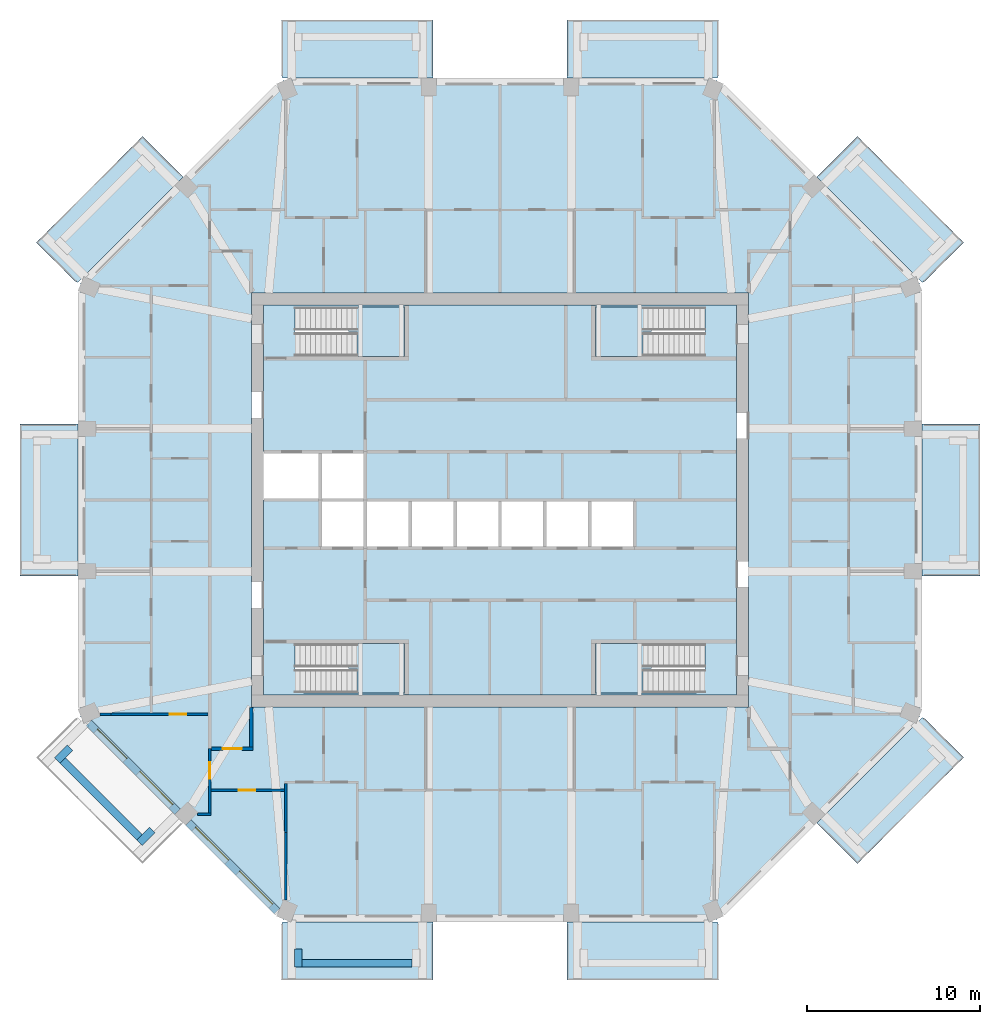
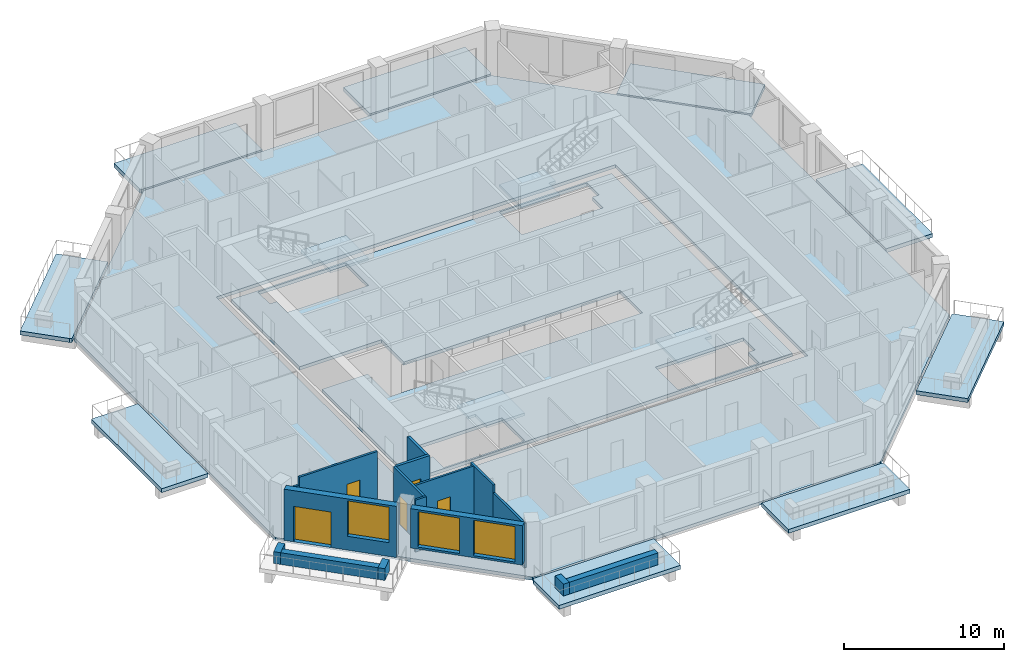
# One storey, part 2 of 12: 16 walls, 15 slabs, 5 doors, 3 windows, 8 openings, 4 elements without a shape of their own.
"""IFC4 building model written with IfcOpenShell, lengths in metres."""

from ifc_helpers import new_model, si_unit, direction, frame, frame_2d, origin, place, context, subcontext, project, spatial, polyline, rectangle, outline, extrude, material, layer, layer_set, type_object, element, fill, aggregate, save


model = new_model("IFC4")

# Units and contexts
model_context = context("Model", 3, precision=1e-05, world=origin(), true_north=direction((0.0, 1.0)))
body_context = subcontext(model_context, "Body", "Model", "MODEL_VIEW")
ifc_project = project(units=[si_unit("LENGTHUNIT", "METRE"), si_unit("AREAUNIT", "SQUARE_METRE"), si_unit("VOLUMEUNIT", "CUBIC_METRE"), si_unit("PLANEANGLEUNIT", "RADIAN"), si_unit("MASSUNIT", "GRAM", prefix="KILO")], contexts=[model_context])

# Site, building, storey
site_placement = place(None, origin())
site = spatial("IfcSite", under=ifc_project, at=site_placement, CompositionType="ELEMENT")
building_placement = place(site_placement, origin())
building = spatial("IfcBuilding", under=site, at=building_placement, Name="Msitu Wima Residences", CompositionType="ELEMENT")
storey_placement = place(building_placement, frame((0.0, 0.0, 179.10009765625)))
storey = spatial("IfcBuildingStorey", under=building, at=storey_placement, Name="L41", CompositionType="ELEMENT", Elevation=179.10009765625)

# Slabs
ifc_material_1 = material(Name="Concrete C40/50", Category="concrete")
ifc_layer_1 = layer(ifc_material_1, 0.300048828125)
ifc_layer_set_1 = layer_set([ifc_layer_1], Name="Concrete C40/50")
slab_type_1 = type_object("IfcSlabType", Name="Balcony slab BS300", PredefinedType="FLOOR", material=ifc_layer_set_1)
slab_1_placement = place(storey_placement, frame((0.0, 0.0, -0.300048828125)))
element("IfcSlab", 1, at=slab_1_placement, inside=storey, type_object=slab_type_1, Name="Balcony E1 L41", PredefinedType="FLOOR", context=body_context, shape_type="SweptSolid", body=[
    extrude(outline(polyline([(24.449951171875, 3.687255859375), (24.449951171875, 4.38720703125), (27.800048828125, 4.38720703125), (27.800048828125, -4.38720703125), (24.449951171875, -4.38720703125), (24.449951171875, -3.687255859375), (24.449951171875, -3.687255859375), (24.449951171875, 3.687255859375)])), origin(), (0.0, 0.0, 1.0), 0.300048828125),
])
slab_2_placement = place(storey_placement, frame((0.0, 0.0, -0.300048828125)))
element("IfcSlab", 2, at=slab_2_placement, inside=storey, type_object=slab_type_1, Name="Balcony NE0 L41", PredefinedType="FLOOR", context=body_context, shape_type="SweptSolid", body=[
    extrude(outline(polyline([(24.10546875, 12.942626953125), (24.10546875, 12.942626953125), (18.347412109375, 18.700927734375), (20.716064453125, 21.069580078125), (26.86376953125, 14.922119140625), (24.603515625, 12.661865234375), (24.449951171875, 12.59814453125), (24.10546875, 12.942626953125), (24.10546875, 12.942626953125)])), origin(), (0.0, 0.0, 1.0), 0.300048828125),
])
slab_3_placement = place(storey_placement, frame((0.0, 0.0, -0.300048828125)))
element("IfcSlab", 3, at=slab_3_placement, inside=storey, type_object=slab_type_1, Name="Balcony N0 L41", PredefinedType="FLOOR", context=body_context, shape_type="SweptSolid", body=[
    extrude(outline(polyline([(12.111083984375, 24.449951171875), (12.111083984375, 24.449951171875), (4.587158203125, 24.449951171875), (3.88720703125, 24.449951171875), (3.88720703125, 27.800048828125), (12.661865234375, 27.800048828125), (12.661865234375, 24.603515625), (12.59814453125, 24.449951171875), (12.111083984375, 24.449951171875), (12.111083984375, 24.449951171875)])), origin(), (0.0, 0.0, 1.0), 0.300048828125),
])
slab_4_placement = place(storey_placement, frame((0.0, 0.0, -0.300048828125)))
element("IfcSlab", 4, at=slab_4_placement, inside=storey, type_object=slab_type_1, Name="Balcony N2 L41", PredefinedType="FLOOR", context=body_context, shape_type="SweptSolid", body=[
    extrude(outline(polyline([(-12.111083984375, 24.449951171875), (-12.111083984375, 24.449951171875), (-12.111083984375, 24.449951171875), (-12.59814453125, 24.449951171875), (-12.661865234375, 24.603515625), (-12.661865234375, 27.800048828125), (-3.88720703125, 27.800048828125), (-3.88720703125, 24.449951171875), (-4.587158203125, 24.449951171875), (-12.111083984375, 24.449951171875)])), origin(), (0.0, 0.0, 1.0), 0.300048828125),
])
slab_5_placement = place(storey_placement, frame((0.0, 0.0, -0.300048828125)))
element("IfcSlab", 5, at=slab_5_placement, inside=storey, type_object=slab_type_1, Name="Balcony NW1 L41", PredefinedType="FLOOR", context=body_context, shape_type="SweptSolid", body=[
    extrude(outline(polyline([(-24.10546875, 12.942626953125), (-24.10546875, 12.942626953125), (-24.449951171875, 12.59814453125), (-24.603515625, 12.661865234375), (-26.86376953125, 14.922119140625), (-20.716064453125, 21.069580078125), (-18.347412109375, 18.700927734375), (-24.10546875, 12.942626953125), (-24.10546875, 12.942626953125)])), origin(), (0.0, 0.0, 1.0), 0.300048828125),
])
slab_6_placement = place(storey_placement, frame((0.0, 0.0, -0.300048828125)))
element("IfcSlab", 6, at=slab_6_placement, inside=storey, type_object=slab_type_1, Name="Balcony W1 L41", PredefinedType="FLOOR", context=body_context, shape_type="SweptSolid", body=[
    extrude(outline(polyline([(-24.449951171875, 3.687255859375), (-24.449951171875, -3.687255859375), (-24.449951171875, -3.687255859375), (-24.449951171875, -4.38720703125), (-27.800048828125, -4.38720703125), (-27.800048828125, 4.38720703125), (-24.449951171875, 4.38720703125), (-24.449951171875, 3.687255859375)])), origin(), (0.0, 0.0, 1.0), 0.300048828125),
])
slab_7_placement = place(storey_placement, frame((0.0, 0.0, -0.300048828125)))
element("IfcSlab", 7, at=slab_7_placement, inside=storey, type_object=slab_type_1, Name="Balcony S0 L41", PredefinedType="FLOOR", context=body_context, shape_type="SweptSolid", body=[
    extrude(outline(polyline([(-12.111083984375, -24.449951171875), (-12.111083984375, -24.449951171875), (-4.587158203125, -24.449951171875), (-3.88720703125, -24.449951171875), (-3.88720703125, -27.800048828125), (-12.661865234375, -27.800048828125), (-12.661865234375, -24.603515625), (-12.59814453125, -24.449951171875), (-12.111083984375, -24.449951171875), (-12.111083984375, -24.449951171875)])), origin(), (0.0, 0.0, 1.0), 0.300048828125),
])
slab_8_placement = place(storey_placement, frame((0.0, 0.0, -0.300048828125)))
element("IfcSlab", 8, at=slab_8_placement, inside=storey, type_object=slab_type_1, Name="Balcony S2 L41", PredefinedType="FLOOR", context=body_context, shape_type="SweptSolid", body=[
    extrude(outline(polyline([(12.111083984375, -24.449951171875), (12.111083984375, -24.449951171875), (12.111083984375, -24.449951171875), (12.59814453125, -24.449951171875), (12.661865234375, -24.603515625), (12.661865234375, -27.800048828125), (3.88720703125, -27.800048828125), (3.88720703125, -24.449951171875), (4.587158203125, -24.449951171875), (12.111083984375, -24.449951171875)])), origin(), (0.0, 0.0, 1.0), 0.300048828125),
])
slab_9_placement = place(storey_placement, frame((0.0, 0.0, -0.300048828125)))
element("IfcSlab", 9, at=slab_9_placement, inside=storey, type_object=slab_type_1, Name="Balcony SE1 L41", PredefinedType="FLOOR", context=body_context, shape_type="SweptSolid", body=[
    extrude(outline(polyline([(24.10546875, -12.942626953125), (24.10546875, -12.942626953125), (24.449951171875, -12.59814453125), (24.603515625, -12.661865234375), (26.86376953125, -14.922119140625), (20.716064453125, -21.069580078125), (18.347412109375, -18.700927734375), (24.10546875, -12.942626953125), (24.10546875, -12.942626953125)])), origin(), (0.0, 0.0, 1.0), 0.300048828125),
])
ifc_layer_2 = layer(ifc_material_1, 0.25)
ifc_layer_set_2 = layer_set([ifc_layer_2], Name="Concrete C40/50")
slab_type_2 = type_object("IfcSlabType", Name="Core floor CF250", PredefinedType="FLOOR", material=ifc_layer_set_2)
slab_10_placement = place(storey_placement, frame((0.0, 0.0, -0.25)))
element("IfcSlab", 10, at=slab_10_placement, inside=storey, type_object=slab_type_2, Name="Core floor", PredefinedType="FLOOR", context=body_context, shape_type="SweptSolid", body=[
    extrude(outline(polyline([(-13.699951171875, 11.300048828125), (-13.699951171875, 2.800048828125), (-10.39990234375, 2.800048828125), (-7.800048828125, 2.800048828125), (-7.800048828125, 0.0), (-5.199951171875, 0.0), (-2.60009765625, 0.0), (0.0, 0.0), (2.60009765625, 0.0), (5.199951171875, 0.0), (7.800048828125, 0.0), (7.800048828125, -2.800048828125), (5.199951171875, -2.800048828125), (2.60009765625, -2.800048828125), (0.0, -2.800048828125), (-2.60009765625, -2.800048828125), (-5.199951171875, -2.800048828125), (-7.800048828125, -2.800048828125), (-10.39990234375, -2.800048828125), (-10.39990234375, 0.0), (-13.699951171875, 0.0), (-13.699951171875, -11.300048828125), (13.699951171875, -11.300048828125), (13.699951171875, 11.300048828125), (-13.699951171875, 11.300048828125)]), holes=[polyline([(-11.375, -11.175048828125), (-11.375, -9.824951171875), (-11.87451171875, -9.824951171875), (-11.87451171875, -8.324951171875), (-5.52490234375, -8.324951171875), (-5.52490234375, -11.175048828125), (-11.375, -11.175048828125)]), polyline([(-11.375, 8.324951171875), (-11.375, 9.675048828125), (-11.87451171875, 9.675048828125), (-11.87451171875, 11.175048828125), (-5.52490234375, 11.175048828125), (-5.52490234375, 8.324951171875), (-11.375, 8.324951171875)]), polyline([(11.375, -9.824951171875), (11.375, -11.175048828125), (5.52490234375, -11.175048828125), (5.52490234375, -8.324951171875), (11.87451171875, -8.324951171875), (11.87451171875, -9.824951171875), (11.375, -9.824951171875)]), polyline([(11.375, 9.675048828125), (11.375, 8.324951171875), (5.52490234375, 8.324951171875), (5.52490234375, 11.175048828125), (11.87451171875, 11.175048828125), (11.87451171875, 9.675048828125), (11.375, 9.675048828125)])]), origin(), (0.0, 0.0, 1.0), 0.25),
])
ifc_layer_3 = layer(ifc_material_1, 0.25)
ifc_layer_set_3 = layer_set([ifc_layer_3], Name="Concrete C40/50")
slab_type_3 = type_object("IfcSlabType", Name="PT flat slab 250 Concrete C40/50", PredefinedType="FLOOR", material=ifc_layer_set_3)
slab_11_placement = place(storey_placement, frame((0.0, 0.0, -0.25)))
element("IfcSlab", 11, at=slab_11_placement, inside=storey, type_object=slab_type_3, Name="Floor slab L41", PredefinedType="FLOOR", context=body_context, shape_type="SweptSolid", body=[
    extrude(outline(polyline([(24.300048828125, -12.5361328125), (12.5361328125, -24.300048828125), (-12.5361328125, -24.300048828125), (-24.300048828125, -12.5361328125), (-24.300048828125, 12.5361328125), (-12.5361328125, 24.300048828125), (12.5361328125, 24.300048828125), (24.300048828125, 12.5361328125), (24.300048828125, -12.5361328125)]), holes=[polyline([(-14.39990234375, -12.0), (14.39990234375, -12.0), (14.39990234375, 12.0), (-14.39990234375, 12.0), (-14.39990234375, -12.0)])]), origin(), (0.0, 0.0, 1.0), 0.25),
])

# Stair, slab
stair_type = type_object("IfcStairType", Name="Exit stair ES1615-135", PredefinedType="HALF_TURN_STAIR", material=ifc_material_1)
stair_1_placement = place(storey_placement, origin())
stair_1 = element("IfcStair", 12, at=stair_1_placement, inside=storey, type_object=stair_type, Name="Exit stair 1", PredefinedType="HALF_TURN_STAIR")
ifc_layer_4 = layer(ifc_material_1, 0.199951171875)
ifc_layer_set_4 = layer_set([ifc_layer_4], Name="Concrete C40/50")
slab_type_4 = type_object("IfcSlabType", Name="Stair landing SL200", PredefinedType="LANDING", material=ifc_layer_set_4)
slab_12_placement = place(storey_placement, frame((0.0, 0.0, 1.89990234375)))
slab_12 = element("IfcSlab", 13, at=slab_12_placement, type_object=slab_type_4, Name="S1 landing 1", PredefinedType="LANDING", context=body_context, shape_type="SweptSolid", body=[
    extrude(outline(polyline([(-5.52490234375, 8.324951171875), (-8.275390625, 8.324951171875), (-8.275390625, 9.75), (-8.77490234375, 9.75), (-8.77490234375, 11.175048828125), (-5.52490234375, 11.175048828125), (-5.52490234375, 8.324951171875)])), origin(), (0.0, 0.0, 1.0), 0.199951171875),
])
aggregate(stair_1, [slab_12])

stair_2_placement = place(storey_placement, origin())
stair_2 = element("IfcStair", 14, at=stair_2_placement, inside=storey, type_object=stair_type, Name="Exit stair 2", PredefinedType="HALF_TURN_STAIR")
slab_13_placement = place(storey_placement, frame((0.0, 0.0, 1.89990234375)))
slab_13 = element("IfcSlab", 15, at=slab_13_placement, type_object=slab_type_4, Name="S2 landing 1", PredefinedType="LANDING", context=body_context, shape_type="SweptSolid", body=[
    extrude(outline(polyline([(-5.52490234375, -11.175048828125), (-8.275390625, -11.175048828125), (-8.275390625, -9.75), (-8.77490234375, -9.75), (-8.77490234375, -8.324951171875), (-5.52490234375, -8.324951171875), (-5.52490234375, -11.175048828125)])), origin(), (0.0, 0.0, 1.0), 0.199951171875),
])
aggregate(stair_2, [slab_13])

stair_3_placement = place(storey_placement, origin())
stair_3 = element("IfcStair", 16, at=stair_3_placement, inside=storey, type_object=stair_type, Name="Exit stair 3", PredefinedType="HALF_TURN_STAIR")
slab_14_placement = place(storey_placement, frame((0.0, 0.0, 1.89990234375)))
slab_14 = element("IfcSlab", 17, at=slab_14_placement, type_object=slab_type_4, Name="S3 landing 1", PredefinedType="LANDING", context=body_context, shape_type="SweptSolid", body=[
    extrude(outline(polyline([(5.52490234375, 8.324951171875), (8.275390625, 8.324951171875), (8.275390625, 9.75), (8.77490234375, 9.75), (8.77490234375, 11.175048828125), (5.52490234375, 11.175048828125), (5.52490234375, 8.324951171875)])), origin(), (0.0, 0.0, 1.0), 0.199951171875),
])
aggregate(stair_3, [slab_14])

stair_4_placement = place(storey_placement, origin())
stair_4 = element("IfcStair", 18, at=stair_4_placement, inside=storey, type_object=stair_type, Name="Exit stair 4", PredefinedType="HALF_TURN_STAIR")
slab_15_placement = place(storey_placement, frame((0.0, 0.0, 1.89990234375)))
slab_15 = element("IfcSlab", 19, at=slab_15_placement, type_object=slab_type_4, Name="S4 landing 1", PredefinedType="LANDING", context=body_context, shape_type="SweptSolid", body=[
    extrude(outline(polyline([(5.52490234375, -11.175048828125), (8.275390625, -11.175048828125), (8.275390625, -9.75), (8.77490234375, -9.75), (8.77490234375, -8.324951171875), (5.52490234375, -8.324951171875), (5.52490234375, -11.175048828125)])), origin(), (0.0, 0.0, 1.0), 0.199951171875),
])
aggregate(stair_4, [slab_15])

# Walls
ifc_material_2 = material(Name="Facing brick")
ifc_layer_5 = layer(ifc_material_2, 0.06494140625, Name="Facing brick")
ifc_layer_6 = layer(ifc_material_1, 0.156005859375, Name="Concrete C40/50")
ifc_material_3 = material(Name="Waterproofing membrane")
ifc_layer_7 = layer(ifc_material_3, 0.00390625, Name="Waterproofing membrane")
ifc_material_4 = material(Name="Planting soil and planting")
ifc_layer_8 = layer(ifc_material_4, 0.22509765625, Name="Planting soil and planting")
ifc_layer_set_5 = layer_set([ifc_layer_5, ifc_layer_6, ifc_layer_7, ifc_layer_8], Name="Concrete C40/50")
wall_type_1 = type_object("IfcWallType", Name="Balcony planter PLANTER PL450", PredefinedType="USERDEFINED", material=ifc_layer_set_5)
wall_1_placement = place(storey_placement, frame((-25.325927734375, -15.0810546875, 0.0), z_axis=(0.0, 0.0, 1.0), x_axis=(0.707106781187, -0.707106781187, 0.0)))
element("IfcWall", 20, at=wall_1_placement, inside=storey, type_object=wall_type_1, Name="Balcony planter SW0 L41", ObjectType="PLANTER", PredefinedType="USERDEFINED", context=body_context, shape_type="SweptSolid", body=[
    extrude(rectangle(XDim=6.294189453125, YDim=0.449951171875, at=frame_2d((3.14697265625, 0.0))), origin(), (0.0, 0.0, 1.0), 0.89990234375),
])
for number, where, z_axis, x_axis, name in (
    (21, (-24.901611328125, -14.338623046875, 0.0), (0.0, 0.0, 1.0), (-0.707106781187, -0.707106781187, 0.0), "Balcony planter SW0 L41"),
    (22, (-20.1328125, -19.107421875, 0.0), (0.0, 0.0, 1.0), (-0.707106781187, -0.707106781187, 0.0), "Balcony planter SW0 L41"),
):
    element("IfcWall", number, at=place(storey_placement, frame(where, z_axis=z_axis, x_axis=x_axis)), inside=storey, type_object=wall_type_1, Name=name, ObjectType="PLANTER", PredefinedType="USERDEFINED", context=body_context, shape_type="SweptSolid", body=[
        extrude(rectangle(XDim=1.050048828125, YDim=0.449951171875, at=frame_2d((0.52490234375, 0.0))), origin(), (0.0, 0.0, 1.0), 0.89990234375),
    ])
wall_2_placement = place(storey_placement, frame((-11.461669921875, -26.824951171875, 0.0), z_axis=(0.0, 0.0, 1.0), x_axis=(1.0, 0.0, 0.0)))
element("IfcWall", 23, at=wall_2_placement, inside=storey, type_object=wall_type_1, Name="Balcony planter S0 L41", ObjectType="PLANTER", PredefinedType="USERDEFINED", context=body_context, shape_type="SweptSolid", body=[
    extrude(rectangle(XDim=6.37451171875, YDim=0.449951171875, at=frame_2d((3.187255859375, 0.0))), origin(), (0.0, 0.0, 1.0), 0.89990234375),
])
wall_3_placement = place(storey_placement, frame((-11.686767578125, -26.0, 0.0), z_axis=(0.0, 0.0, 1.0), x_axis=(0.0, -1.0, 0.0)))
element("IfcWall", 24, at=wall_3_placement, inside=storey, type_object=wall_type_1, Name="Balcony planter S0 L41", ObjectType="PLANTER", PredefinedType="USERDEFINED", context=body_context, shape_type="SweptSolid", body=[
    extrude(rectangle(XDim=1.050048828125, YDim=0.449951171875, at=frame_2d((0.52490234375, 0.0))), origin(), (0.0, 0.0, 1.0), 0.89990234375),
])

# Wall, openings, door, window
ifc_material_5 = material(Name="Brick (red buff mix)", Category="masonry")
ifc_layer_9 = layer(ifc_material_5, 0.449951171875)
ifc_layer_set_6 = layer_set([ifc_layer_9], Name="Brick (red buff mix)")
wall_type_2 = type_object("IfcWallType", Name="Brick infill wall BW450", PredefinedType="SOLIDWALL", material=ifc_layer_set_6)
wall_4_placement = place(storey_placement, frame((-23.814697265625, -12.915283203125, 0.0), z_axis=(0.0, 0.0, 1.0), x_axis=(0.707106781187, -0.707106781187, 0.0)))
wall_4 = element("IfcWall", 25, at=wall_4_placement, inside=storey, type_object=wall_type_2, Name="Brick infill wall L41 SW0", PredefinedType="SOLIDWALL", context=body_context, shape_type="SweptSolid", body=[
    extrude(rectangle(XDim=7.257080078125, YDim=0.449951171875, at=frame_2d((3.62841796875, 0.0))), origin(), (0.0, 0.0, 1.0), 3.89990234375),
])
opening_1_placement = place(wall_4_placement, frame((0.6142578125, 0.0, 0.0)))
opening_1 = element("IfcOpeningElement", 26, at=opening_1_placement, cuts=wall_4, Name="Opening D40-42.009", PredefinedType="OPENING", context=body_context, shape_type="SweptSolid", body=[
    extrude(rectangle(XDim=2.39990234375, YDim=2.699951171875, at=frame_2d((1.199951171875, 1.35009765625))), frame((0.0, 0.23486328125, 0.0), z_axis=(0.0, -1.0, 0.0), x_axis=(1.0, 0.0, 0.0)), (0.0, 0.0, 1.0), 0.469970703125),
])
opening_2_placement = place(wall_4_placement, frame((4.07861328125, 0.0, 1.050048828125)))
opening_2 = element("IfcOpeningElement", 27, at=opening_2_placement, cuts=wall_4, Name="Opening W40-42.023", PredefinedType="OPENING", context=body_context, shape_type="SweptSolid", body=[
    extrude(rectangle(XDim=2.699951171875, YDim=2.699951171875, at=frame_2d((1.35009765625, 1.35009765625))), frame((0.0, 0.23486328125, 0.0), z_axis=(0.0, -1.0, 0.0), x_axis=(1.0, 0.0, 0.0)), (0.0, 0.0, 1.0), 0.469970703125),
])
ifc_material_6 = material(Name="Anodised aluminium, bronze finish, clear low-emissivity double glazing", Category="aluminium")
door_type_1 = type_object("IfcDoorType", Name="Balcony door D2400x2700", OperationType="SLIDING_TO_LEFT", PredefinedType="DOOR", material=ifc_material_6)
door_1_placement = place(opening_1_placement, origin())
door_1 = element("IfcDoor", 28, at=door_1_placement, inside=storey, type_object=door_type_1, Name="Balcony door L41 SW0", OperationType="SINGLE_SWING_LEFT", OverallHeight=2.699951171875, OverallWidth=2.39990234375, PredefinedType="DOOR", context=body_context, shape_type="SweptSolid", body=[
    extrude(rectangle(XDim=2.39990234375, YDim=2.699951171875, at=frame_2d((1.199951171875, 1.35009765625))), frame((0.0, 0.1298828125, 0.0), z_axis=(0.0, -1.0, 0.0), x_axis=(1.0, 0.0, 0.0)), (0.0, 0.0, 1.0), 0.050048828125),
])
fill(opening_1, door_1)
window_type = type_object("IfcWindowType", Name="Window W2700x2700", PartitioningType="DOUBLE_PANEL_VERTICAL", PredefinedType="WINDOW", material=ifc_material_6)
window_1_placement = place(opening_2_placement, origin())
window_1 = element("IfcWindow", 29, at=window_1_placement, inside=storey, type_object=window_type, Name="Window L41 SW0.2", OverallHeight=2.699951171875, OverallWidth=2.699951171875, PartitioningType="SINGLE_PANEL", PredefinedType="WINDOW", context=body_context, shape_type="SweptSolid", body=[
    extrude(rectangle(XDim=2.699951171875, YDim=2.699951171875, at=frame_2d((1.35009765625, 1.35009765625))), frame((0.0, 0.135009765625, 0.0), z_axis=(0.0, -1.0, 0.0), x_axis=(1.0, 0.0, 0.0)), (0.0, 0.0, 1.0), 0.06005859375),
])
fill(opening_2, window_1)

# Wall, openings, windows
wall_5_placement = place(storey_placement, frame((-18.046875, -18.68310546875, 0.89990234375), z_axis=(0.0, 0.0, 1.0), x_axis=(0.707106781187, -0.707106781187, 0.0)))
wall_5 = element("IfcWall", 30, at=wall_5_placement, inside=storey, type_object=wall_type_2, Name="Brick infill wall L41 SW1", PredefinedType="SOLIDWALL", context=body_context, shape_type="SweptSolid", body=[
    extrude(rectangle(XDim=7.257080078125, YDim=0.449951171875, at=frame_2d((3.62841796875, 0.0))), origin(), (0.0, 0.0, 1.0), 3.0),
])
opening_3_placement = place(wall_5_placement, frame((0.478515625, 0.0, 0.14990234375)))
opening_3 = element("IfcOpeningElement", 31, at=opening_3_placement, cuts=wall_5, Name="Opening W40-42.024", PredefinedType="OPENING", context=body_context, shape_type="SweptSolid", body=[
    extrude(rectangle(XDim=2.699951171875, YDim=2.699951171875, at=frame_2d((1.35009765625, 1.35009765625))), frame((0.0, 0.23486328125, 0.0), z_axis=(0.0, -1.0, 0.0), x_axis=(1.0, 0.0, 0.0)), (0.0, 0.0, 1.0), 0.469970703125),
])
opening_4_placement = place(wall_5_placement, frame((4.07861328125, 0.0, 0.14990234375)))
opening_4 = element("IfcOpeningElement", 32, at=opening_4_placement, cuts=wall_5, Name="Opening W40-42.025", PredefinedType="OPENING", context=body_context, shape_type="SweptSolid", body=[
    extrude(rectangle(XDim=2.699951171875, YDim=2.699951171875, at=frame_2d((1.35009765625, 1.35009765625))), frame((0.0, 0.23486328125, 0.0), z_axis=(0.0, -1.0, 0.0), x_axis=(1.0, 0.0, 0.0)), (0.0, 0.0, 1.0), 0.469970703125),
])
window_2_placement = place(opening_3_placement, origin())
window_2 = element("IfcWindow", 33, at=window_2_placement, inside=storey, type_object=window_type, Name="Window L41 SW1.1", OverallHeight=2.699951171875, OverallWidth=2.699951171875, PartitioningType="SINGLE_PANEL", PredefinedType="WINDOW", context=body_context, shape_type="SweptSolid", body=[
    extrude(rectangle(XDim=2.699951171875, YDim=2.699951171875, at=frame_2d((1.35009765625, 1.35009765625))), frame((0.0, 0.135009765625, 0.0), z_axis=(0.0, -1.0, 0.0), x_axis=(1.0, 0.0, 0.0)), (0.0, 0.0, 1.0), 0.06005859375),
])
fill(opening_3, window_2)
window_3_placement = place(opening_4_placement, origin())
window_3 = element("IfcWindow", 34, at=window_3_placement, inside=storey, type_object=window_type, Name="Window L41 SW1.2", OverallHeight=2.699951171875, OverallWidth=2.699951171875, PartitioningType="SINGLE_PANEL", PredefinedType="WINDOW", context=body_context, shape_type="SweptSolid", body=[
    extrude(rectangle(XDim=2.699951171875, YDim=2.699951171875, at=frame_2d((1.35009765625, 1.35009765625))), frame((0.0, 0.135009765625, 0.0), z_axis=(0.0, -1.0, 0.0), x_axis=(1.0, 0.0, 0.0)), (0.0, 0.0, 1.0), 0.06005859375),
])
fill(opening_4, window_3)

# Wall, opening, door
ifc_material_7 = material(Name="Plaster")
ifc_layer_10 = layer(ifc_material_7, 0.011962890625, Name="Plaster")
ifc_material_8 = material(Name="Concrete blockwork", Category="masonry")
ifc_layer_11 = layer(ifc_material_8, 0.176025390625, Name="Concrete blockwork")
ifc_layer_12 = layer(ifc_material_7, 0.011962890625, Name="Plaster")
ifc_layer_set_7 = layer_set([ifc_layer_10, ifc_layer_11, ifc_layer_12], Name="Concrete blockwork")
wall_type_3 = type_object("IfcWallType", Name="Corridor wall FW200", PredefinedType="PARTITIONING", material=ifc_layer_set_7)
wall_6_placement = place(storey_placement, frame((-16.699951171875, -14.39990234375, 0.0), z_axis=(0.0, 0.0, 1.0), x_axis=(1.0, 0.0, 0.0)))
wall_6 = element("IfcWall", 35, at=wall_6_placement, inside=storey, type_object=wall_type_3, Name="Corridor wall", PredefinedType="PARTITIONING", context=body_context, shape_type="SweptSolid", body=[
    extrude(rectangle(XDim=2.39990234375, YDim=0.199951171875, at=frame_2d((1.199951171875, 0.0))), origin(), (0.0, 0.0, 1.0), 3.949951171875),
])
opening_5_placement = place(wall_6_placement, frame((0.64990234375, 0.0, 0.0)))
opening_5 = element("IfcOpeningElement", 36, at=opening_5_placement, cuts=wall_6, Name="Opening D40-42.039", PredefinedType="OPENING", context=body_context, shape_type="SweptSolid", body=[
    extrude(rectangle(XDim=1.10009765625, YDim=2.39990234375, at=frame_2d((0.550048828125, 1.199951171875))), frame((0.0, 0.10986328125, 0.0), z_axis=(0.0, -1.0, 0.0), x_axis=(1.0, 0.0, 0.0)), (0.0, 0.0, 1.0), 0.219970703125),
])
ifc_material_9 = material(Name="Timber flush door, fire resisting, self-closing", Category="wood")
door_type_2 = type_object("IfcDoorType", Name="Flat entrance door D01 1100x2400", OperationType="SINGLE_SWING_LEFT", PredefinedType="DOOR", material=ifc_material_9)
door_2_placement = place(opening_5_placement, origin())
door_2 = element("IfcDoor", 37, at=door_2_placement, inside=storey, type_object=door_type_2, Name="Flat entrance door", OperationType="SINGLE_SWING_RIGHT", OverallHeight=2.39990234375, OverallWidth=1.10009765625, PredefinedType="DOOR", context=body_context, shape_type="SweptSolid", body=[
    extrude(rectangle(XDim=1.10009765625, YDim=2.39990234375, at=frame_2d((0.550048828125, 1.199951171875))), frame((0.0, 0.02490234375, 0.0), z_axis=(0.0, -1.0, 0.0), x_axis=(1.0, 0.0, 0.0)), (0.0, 0.0, 1.0), 0.050048828125),
])
fill(opening_5, door_2)

# Walls
wall_7_placement = place(storey_placement, frame((-14.39990234375, -14.300048828125, 0.0), z_axis=(0.0, 0.0, 1.0), x_axis=(0.0, 1.0, 0.0)))
element("IfcWall", 38, at=wall_7_placement, inside=storey, type_object=wall_type_3, Name="Corridor wall", PredefinedType="PARTITIONING", context=body_context, shape_type="SweptSolid", body=[
    extrude(rectangle(XDim=2.27001953125, YDim=0.199951171875, at=frame_2d((1.135009765625, 0.0))), origin(), (0.0, 0.0, 1.0), 3.949951171875),
])
ifc_layer_13 = layer(ifc_material_7, 0.011962890625, Name="Plaster")
ifc_layer_14 = layer(ifc_material_8, 0.1259765625, Name="Concrete blockwork")
ifc_layer_15 = layer(ifc_material_7, 0.011962890625, Name="Plaster")
ifc_layer_set_8 = layer_set([ifc_layer_13, ifc_layer_14, ifc_layer_15], Name="Concrete blockwork")
wall_type_4 = type_object("IfcWallType", Name="Partition PW150", PredefinedType="PARTITIONING", material=ifc_layer_set_8)
wall_8_placement = place(storey_placement, frame((-23.1689453125, -12.411865234375, 0.0), z_axis=(0.0, 0.0, 1.0), x_axis=(1.0, 0.0, 0.0)))
element("IfcWall", 39, at=wall_8_placement, inside=storey, type_object=wall_type_4, Name="Partition", PredefinedType="PARTITIONING", context=body_context, shape_type="SweptSolid", body=[
    extrude(rectangle(XDim=0.630615234375, YDim=0.14990234375, at=frame_2d((0.3154296875, 0.0))), origin(), (0.0, 0.0, 1.0), 3.349853515625),
])

# Wall, opening, door
wall_9_placement = place(storey_placement, frame((-22.538330078125, -12.411865234375, 0.0), z_axis=(0.0, 0.0, 1.0), x_axis=(1.0, 0.0, 0.0)))
wall_9 = element("IfcWall", 40, at=wall_9_placement, inside=storey, type_object=wall_type_4, Name="Partition", PredefinedType="PARTITIONING", context=body_context, shape_type="SweptSolid", body=[
    extrude(rectangle(XDim=5.638427734375, YDim=0.14990234375, at=frame_2d((2.8193359375, 0.0))), origin(), (0.0, 0.0, 1.0), 3.949951171875),
])
opening_6_placement = place(wall_9_placement, frame((3.41943359375, 0.0, 0.0)))
opening_6 = element("IfcOpeningElement", 41, at=opening_6_placement, cuts=wall_9, Name="Opening D40-42.049", PredefinedType="OPENING", context=body_context, shape_type="SweptSolid", body=[
    extrude(rectangle(XDim=0.949951171875, YDim=2.199951171875, at=frame_2d((0.47509765625, 1.10009765625))), frame((0.0, 0.0849609375, 0.0), z_axis=(0.0, -1.0, 0.0), x_axis=(1.0, 0.0, 0.0)), (0.0, 0.0, 1.0), 0.169921875),
])
ifc_material_10 = material(Name="Timber flush door", Category="wood")
door_type_3 = type_object("IfcDoorType", Name="Room door D12 950x2200", OperationType="SINGLE_SWING_LEFT", PredefinedType="DOOR", material=ifc_material_10)
door_3_placement = place(opening_6_placement, origin())
door_3 = element("IfcDoor", 42, at=door_3_placement, inside=storey, type_object=door_type_3, Name="Room door", OperationType="SINGLE_SWING_LEFT", OverallHeight=2.199951171875, OverallWidth=0.949951171875, PredefinedType="DOOR", context=body_context, shape_type="SweptSolid", body=[
    extrude(rectangle(XDim=0.949951171875, YDim=2.199951171875, at=frame_2d((0.47509765625, 1.10009765625))), frame((0.0, 0.02490234375, 0.0), z_axis=(0.0, -1.0, 0.0), x_axis=(1.0, 0.0, 0.0)), (0.0, 0.0, 1.0), 0.050048828125),
])
fill(opening_6, door_3)

# Wall
wall_10_placement = place(storey_placement, frame((-17.509521484375, -18.205810546875, 0.0), z_axis=(0.0, 0.0, 1.0), x_axis=(1.0, 0.0, 0.0)))
element("IfcWall", 43, at=wall_10_placement, inside=storey, type_object=wall_type_4, Name="Partition", PredefinedType="PARTITIONING", context=body_context, shape_type="SweptSolid", body=[
    extrude(rectangle(XDim=0.784423828125, YDim=0.14990234375, at=frame_2d((0.39208984375, 0.0))), origin(), (0.0, 0.0, 1.0), 3.949951171875),
])

# Wall, opening, door
wall_11_placement = place(storey_placement, frame((-16.800048828125, -18.130859375, 0.0), z_axis=(0.0, 0.0, 1.0), x_axis=(0.0, 1.0, 0.0)))
wall_11 = element("IfcWall", 44, at=wall_11_placement, inside=storey, type_object=wall_type_4, Name="Partition", PredefinedType="PARTITIONING", context=body_context, shape_type="SweptSolid", body=[
    extrude(rectangle(XDim=3.73095703125, YDim=0.14990234375, at=frame_2d((1.865478515625, 0.0))), origin(), (0.0, 0.0, 1.0), 3.949951171875),
])
opening_7_placement = place(wall_11_placement, frame((2.0, 0.0, 0.0)))
opening_7 = element("IfcOpeningElement", 45, at=opening_7_placement, cuts=wall_11, Name="Opening D40-42.047", PredefinedType="OPENING", context=body_context, shape_type="SweptSolid", body=[
    extrude(rectangle(XDim=0.949951171875, YDim=2.199951171875, at=frame_2d((0.47509765625, 1.10009765625))), frame((0.0, 0.0849609375, 0.0), z_axis=(0.0, -1.0, 0.0), x_axis=(1.0, 0.0, 0.0)), (0.0, 0.0, 1.0), 0.169921875),
])
door_4_placement = place(opening_7_placement, origin())
door_4 = element("IfcDoor", 46, at=door_4_placement, inside=storey, type_object=door_type_3, Name="Room door", OperationType="SINGLE_SWING_LEFT", OverallHeight=2.199951171875, OverallWidth=0.949951171875, PredefinedType="DOOR", context=body_context, shape_type="SweptSolid", body=[
    extrude(rectangle(XDim=0.949951171875, YDim=2.199951171875, at=frame_2d((0.47509765625, 1.10009765625))), frame((0.0, 0.02490234375, 0.0), z_axis=(0.0, -1.0, 0.0), x_axis=(1.0, 0.0, 0.0)), (0.0, 0.0, 1.0), 0.050048828125),
])
fill(opening_7, door_4)

wall_12_placement = place(storey_placement, frame((-16.72509765625, -16.800048828125, 0.0), z_axis=(0.0, 0.0, 1.0), x_axis=(1.0, 0.0, 0.0)))
wall_12 = element("IfcWall", 47, at=wall_12_placement, inside=storey, type_object=wall_type_4, Name="Partition", PredefinedType="PARTITIONING", context=body_context, shape_type="SweptSolid", body=[
    extrude(rectangle(XDim=4.23828125, YDim=0.14990234375, at=frame_2d((2.119140625, 0.0))), origin(), (0.0, 0.0, 1.0), 3.949951171875),
])
opening_8_placement = place(wall_12_placement, frame((1.60009765625, 0.0, 0.0)))
opening_8 = element("IfcOpeningElement", 48, at=opening_8_placement, cuts=wall_12, Name="Opening D40-42.046", PredefinedType="OPENING", context=body_context, shape_type="SweptSolid", body=[
    extrude(rectangle(XDim=0.949951171875, YDim=2.199951171875, at=frame_2d((0.47509765625, 1.10009765625))), frame((0.0, 0.0849609375, 0.0), z_axis=(0.0, -1.0, 0.0), x_axis=(1.0, 0.0, 0.0)), (0.0, 0.0, 1.0), 0.169921875),
])
door_5_placement = place(opening_8_placement, origin())
door_5 = element("IfcDoor", 49, at=door_5_placement, inside=storey, type_object=door_type_3, Name="Room door", OperationType="SINGLE_SWING_RIGHT", OverallHeight=2.199951171875, OverallWidth=0.949951171875, PredefinedType="DOOR", context=body_context, shape_type="SweptSolid", body=[
    extrude(rectangle(XDim=0.949951171875, YDim=2.199951171875, at=frame_2d((0.47509765625, 1.10009765625))), frame((0.0, 0.02490234375, 0.0), z_axis=(0.0, -1.0, 0.0), x_axis=(1.0, 0.0, 0.0)), (0.0, 0.0, 1.0), 0.050048828125),
])
fill(opening_8, door_5)

# Walls
wall_13_placement = place(storey_placement, frame((-12.411865234375, -23.1689453125, 0.0), z_axis=(0.0, 0.0, 1.0), x_axis=(0.0, 1.0, 0.0)))
element("IfcWall", 50, at=wall_13_placement, inside=storey, type_object=wall_type_4, Name="Partition", PredefinedType="PARTITIONING", context=body_context, shape_type="SweptSolid", body=[
    extrude(rectangle(XDim=3.8984375, YDim=0.14990234375, at=frame_2d((1.94921875, 0.0))), origin(), (0.0, 0.0, 1.0), 3.349853515625),
])
wall_14_placement = place(storey_placement, frame((-12.411865234375, -19.2705078125, 0.0), z_axis=(0.0, 0.0, 1.0), x_axis=(0.0, 1.0, 0.0)))
element("IfcWall", 51, at=wall_14_placement, inside=storey, type_object=wall_type_4, Name="Partition", PredefinedType="PARTITIONING", context=body_context, shape_type="SweptSolid", body=[
    extrude(rectangle(XDim=2.845458984375, YDim=0.14990234375, at=frame_2d((1.4228515625, 0.0))), origin(), (0.0, 0.0, 1.0), 3.949951171875),
])

save(model, "model.ifc")
